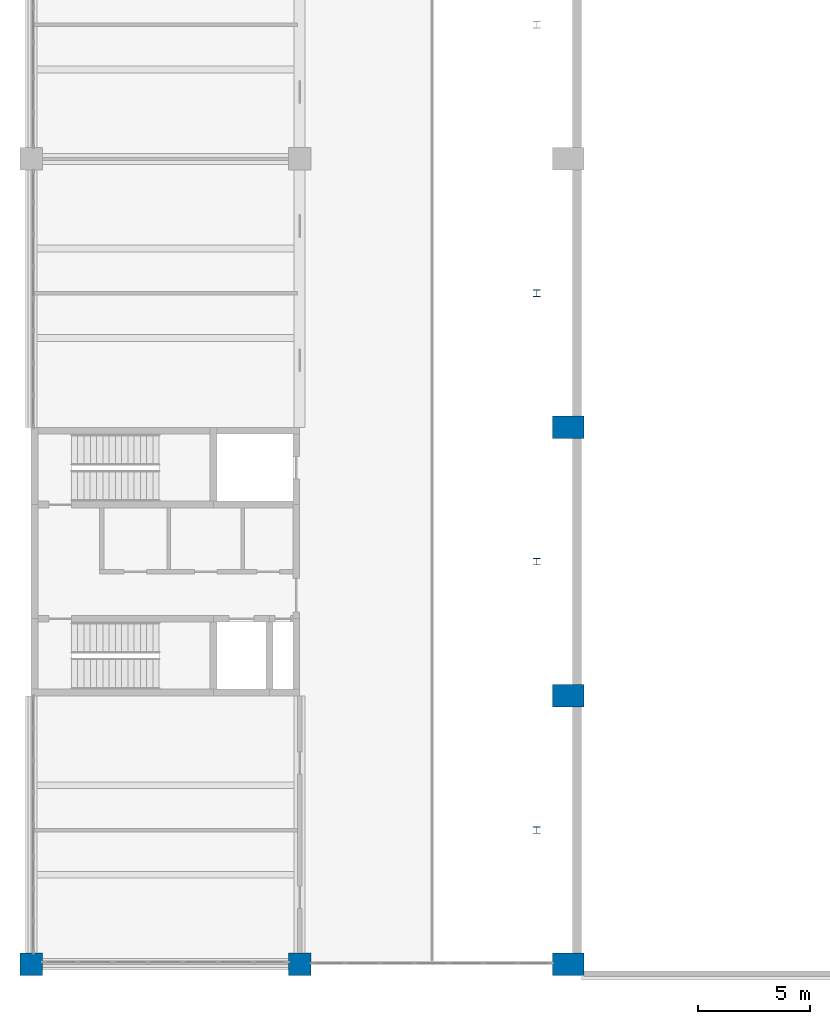
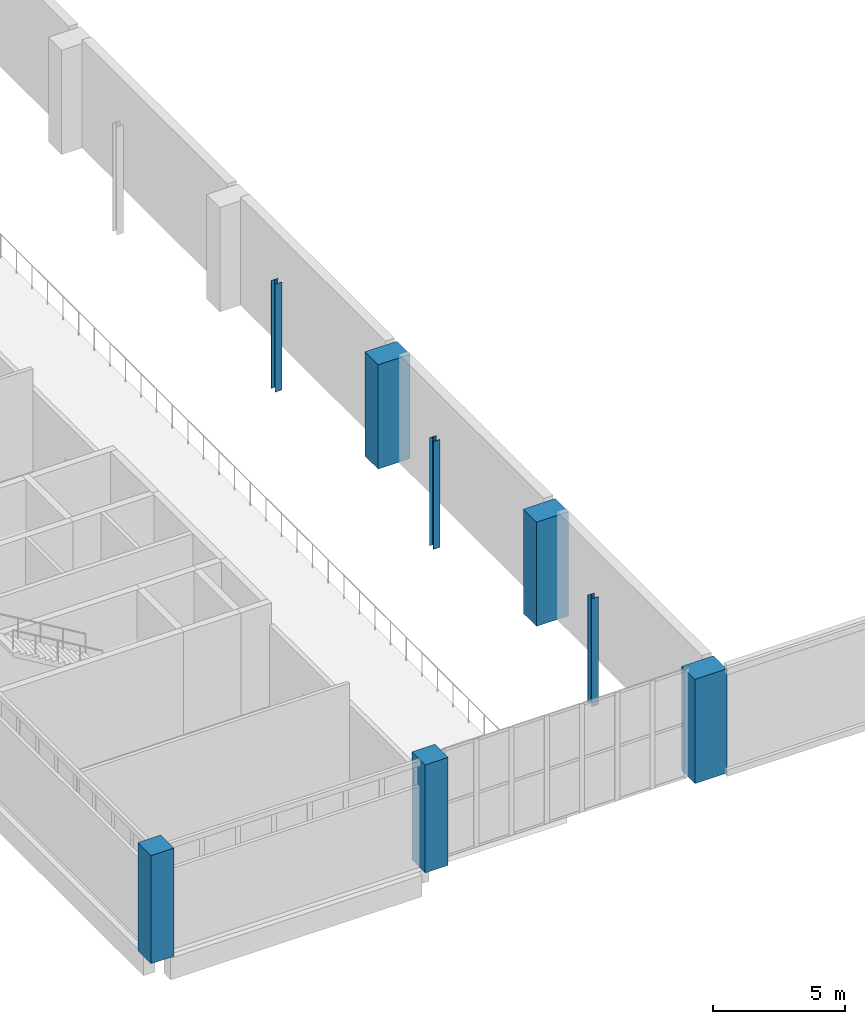
# One storey, part 1 of 69: 8 columns.
"""IFC4 building model written with IfcOpenShell, lengths in metres."""

from ifc_helpers import new_model, si_unit, direction, frame, origin, origin_2d, place, context, subcontext, project, spatial, rectangle, i_section, extrude, material, material_profile, profile_set, type_object, element, save


model = new_model("IFC4")

# Units and contexts
model_context = context("Model", 3, precision=1e-05, world=origin(), true_north=direction((0.0, 1.0)))
body_context = subcontext(model_context, "Body", "Model", "MODEL_VIEW")
ifc_project = project(units=[si_unit("LENGTHUNIT", "METRE"), si_unit("AREAUNIT", "SQUARE_METRE"), si_unit("VOLUMEUNIT", "CUBIC_METRE"), si_unit("PLANEANGLEUNIT", "RADIAN"), si_unit("MASSUNIT", "GRAM", prefix="KILO")], contexts=[model_context])

# Site, building, storey
site_placement = place(None, origin())
site = spatial("IfcSite", under=ifc_project, at=site_placement, CompositionType="ELEMENT")
building_placement = place(site_placement, origin())
building = spatial("IfcBuilding", under=site, at=building_placement, Name="Lilac Gate Convention Centre", CompositionType="ELEMENT")
storey_placement = place(building_placement, frame((0.0, 0.0, 12.0)))
storey = spatial("IfcBuildingStorey", under=building, at=storey_placement, Name="L02", CompositionType="ELEMENT", Elevation=12.0)

# Columns
ifc_material_1 = material(Name="Concrete C40", Category="concrete")
ifc_material_profile_1 = material_profile(ifc_material_1, rectangle(XDim=1.0, YDim=1.0, at=origin_2d()), Name="RC 1000x1000")
ifc_profile_set_1 = profile_set([ifc_material_profile_1], Name="Concrete C40")
column_type_1 = type_object("IfcColumnType", Name="RC column 1000x1000 C40", PredefinedType="COLUMN", material=ifc_profile_set_1)
for number, where, z_axis, x_axis, name in (
    (1, (6.0, 30.0, 0.0), (0.0, 0.0, 1.0), (1.0, 0.0, 0.0), "C1 L02 at 1/A"),
    (2, (18.0, 30.0, 0.0), (0.0, 0.0, 1.0), (1.0, 0.0, 0.0), "C1 L02 at 2/A"),
):
    element("IfcColumn", number, at=place(storey_placement, frame(where, z_axis=z_axis, x_axis=x_axis)), inside=storey, type_object=column_type_1, Name=name, PredefinedType="COLUMN", context=body_context, shape_type="SweptSolid", body=[
        extrude(rectangle(XDim=1.0, YDim=1.0, at=origin_2d()), origin(), (0.0, 0.0, 1.0), 5.0),
    ])
ifc_material_profile_2 = material_profile(ifc_material_1, rectangle(XDim=1.39990234375, YDim=1.0, at=origin_2d()), Name="RC 1400x1000")
ifc_profile_set_2 = profile_set([ifc_material_profile_2], Name="Concrete C40")
column_type_2 = type_object("IfcColumnType", Name="RC hall column 1400x1000 C40", PredefinedType="COLUMN", material=ifc_profile_set_2)
for number, where, z_axis, x_axis, name in (
    (3, (30.0, 30.0, 0.0), (0.0, 0.0, 1.0), (1.0, 0.0, 0.0), "C2 L02 at 3/A"),
    (4, (30.0, 42.0, 0.0), (0.0, 0.0, 1.0), (1.0, 0.0, 0.0), "C2 L02 at 3/B"),
    (5, (30.0, 54.0, 0.0), (0.0, 0.0, 1.0), (1.0, 0.0, 0.0), "C2 L02 at 3/C"),
):
    element("IfcColumn", number, at=place(storey_placement, frame(where, z_axis=z_axis, x_axis=x_axis)), inside=storey, type_object=column_type_2, Name=name, PredefinedType="COLUMN", context=body_context, shape_type="SweptSolid", body=[
        extrude(rectangle(XDim=1.39990234375, YDim=1.0, at=origin_2d()), origin(), (0.0, 0.0, 1.0), 4.824951171875),
    ])
ifc_material_2 = material(Name="Steel Q355B", Category="steel")
ifc_material_profile_3 = material_profile(ifc_material_2, i_section(OverallWidth=0.300048828125, OverallDepth=0.300048828125, WebThickness=0.010009765625, FlangeThickness=0.014892578125, FilletRadius=0.012939453125, at=origin_2d()), Name="HW300x300x10x15")
ifc_profile_set_3 = profile_set([ifc_material_profile_3], Name="Steel Q355B")
column_type_3 = type_object("IfcColumnType", Name="Steel column HW300x300x10x15", PredefinedType="COLUMN", material=ifc_profile_set_3)
for number, where, z_axis, x_axis, name in (
    (6, (28.60009765625, 36.0, 0.0), (0.0, 0.0, 1.0), (1.0, 0.0, 0.0), "SC1 L02 atrium column at 36"),
    (7, (28.60009765625, 48.0, 0.0), (0.0, 0.0, 1.0), (1.0, 0.0, 0.0), "SC1 L02 atrium column at 48"),
    (8, (28.60009765625, 60.0, 0.0), (0.0, 0.0, 1.0), (1.0, 0.0, 0.0), "SC1 L02 atrium column at 60"),
):
    element("IfcColumn", number, at=place(storey_placement, frame(where, z_axis=z_axis, x_axis=x_axis)), inside=storey, type_object=column_type_3, Name=name, PredefinedType="COLUMN", context=body_context, shape_type="SweptSolid", body=[
        extrude(i_section(OverallWidth=0.300048828125, OverallDepth=0.300048828125, WebThickness=0.010009765625, FlangeThickness=0.014892578125, FilletRadius=0.012939453125, at=origin_2d()), origin(), (0.0, 0.0, 1.0), 5.0),
    ])

save(model, "model.ifc")
